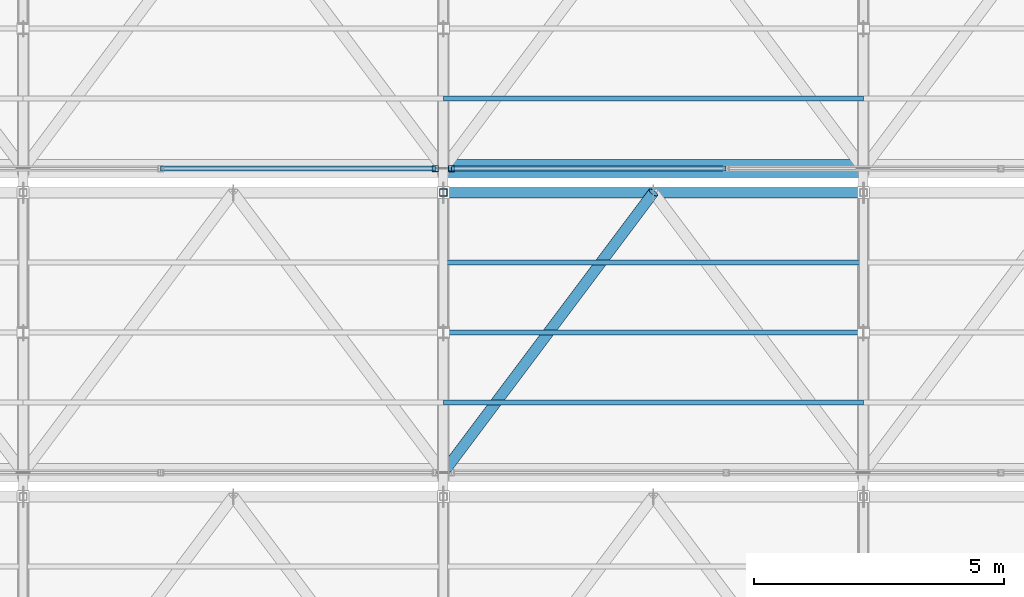
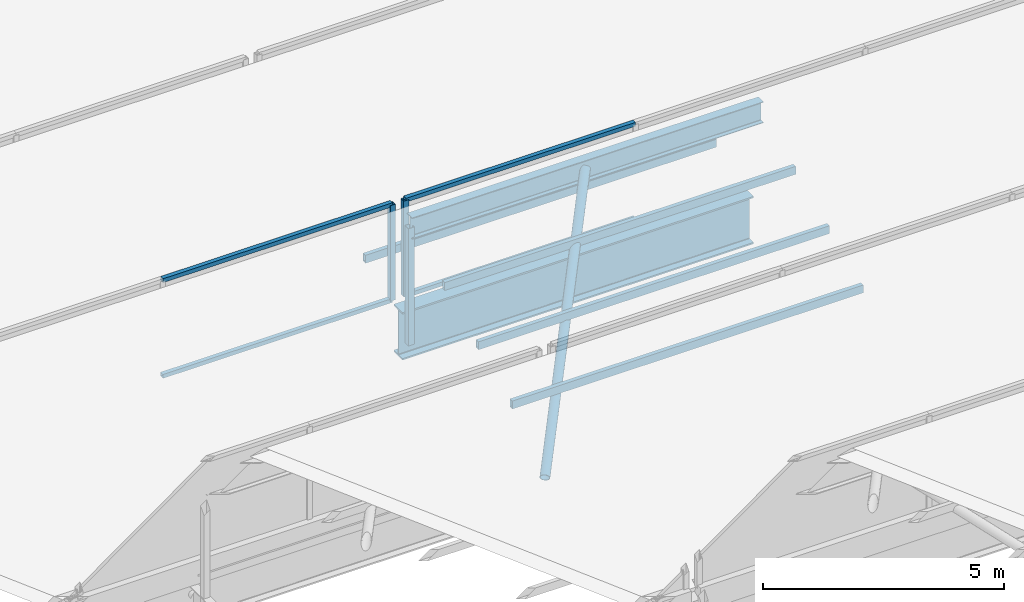
# One storey, part 109 of 217: 13 members, 1 beam, 2 elements without a shape of their own.
"""IFC4 building model written with IfcOpenShell, lengths in metres."""

from ifc_helpers import new_model, si_unit, direction, frame, origin, origin_2d, place, context, subcontext, project, spatial, hollow_rectangle, hollow_circle, i_section, extrude, material, material_profile, profile_set, type_object, element, aggregate, save


model = new_model("IFC4")

# Units and contexts
model_context = context("Model", 3, precision=1e-05, world=origin(), true_north=direction((0.0, 1.0)))
body_context = subcontext(model_context, "Body", "Model", "MODEL_VIEW")
ifc_project = project(units=[si_unit("LENGTHUNIT", "METRE"), si_unit("AREAUNIT", "SQUARE_METRE"), si_unit("VOLUMEUNIT", "CUBIC_METRE"), si_unit("PLANEANGLEUNIT", "RADIAN"), si_unit("MASSUNIT", "GRAM", prefix="KILO")], contexts=[model_context])

# Site, building, storey
site_placement = place(None, origin())
site = spatial("IfcSite", under=ifc_project, at=site_placement, CompositionType="ELEMENT")
building_placement = place(site_placement, origin())
building = spatial("IfcBuilding", under=site, at=building_placement, Name="Zuvorla Pavilion Media Centre", CompositionType="ELEMENT")
storey_placement = place(building_placement, frame((0.0, 0.0, 9.60009765625)))
storey = spatial("IfcBuildingStorey", under=building, at=storey_placement, Name="L02", CompositionType="ELEMENT", Elevation=9.60009765625)

# Beam
ifc_material_1 = material(Name="Steel S355", Category="steel")
ifc_material_profile_1 = material_profile(ifc_material_1, i_section(OverallWidth=0.360107421875, OverallDepth=1.199951171875, WebThickness=0.02001953125, FlangeThickness=0.0380859375, FilletRadius=0.02392578125, at=origin_2d()), Name="PG 1200x360x38")
ifc_profile_set_1 = profile_set([ifc_material_profile_1], Name="Steel S355")
beam_type = type_object("IfcBeamType", Name="BM-PG1200", PredefinedType="BEAM", material=ifc_profile_set_1)
beam_placement = place(storey_placement, frame((100.39990234375, 107.840087890625, -0.88818359375), z_axis=(1.0, 0.0, 0.0), x_axis=(0.0, 1.0, 0.0)))
element("IfcBeam", 1, at=beam_placement, inside=storey, type_object=beam_type, Name="L02 beam B01 1799", PredefinedType="BEAM", context=body_context, shape_type="SweptSolid", body=[
    extrude(i_section(OverallWidth=0.360107421875, OverallDepth=1.199951171875, WebThickness=0.02001953125, FlangeThickness=0.0380859375, FilletRadius=0.02392578125, at=origin_2d()), origin(), (0.0, 0.0, 1.0), 8.400146484375),
])

# Curtain wall, member
ifc_material_2 = material(Name="Unitised anodised aluminium and solar glass curtain wall", Category="aluminium")
curtain_wall_type = type_object("IfcCurtainWallType", Name="CW-SYS-88", PredefinedType="USERDEFINED", material=ifc_material_2)
curtain_wall_1_placement = place(storey_placement, origin())
curtain_wall_1 = element("IfcCurtainWall", 2, at=curtain_wall_1_placement, inside=storey, type_object=curtain_wall_type, Name="L02 curtain wall CW88 209", ObjectType="CURTAIN WALL", PredefinedType="USERDEFINED")
ifc_material_3 = material(Name="Anodised aluminium 6063-T6", Category="aluminium")
ifc_material_profile_2 = material_profile(ifc_material_3, hollow_rectangle(XDim=0.1201171875, YDim=0.1201171875, WallThickness=0.0048828125, at=origin_2d()), Name="ALU MULL 120x120")
ifc_profile_set_2 = profile_set([ifc_material_profile_2], Name="Anodised aluminium 6063-T6")
member_type_1 = type_object("IfcMemberType", Name="CW-MULL-120", PredefinedType="MULLION", material=ifc_profile_set_2)
member_1_placement = place(storey_placement, frame((100.239990234375, 107.840087890625, 0.0), z_axis=(0.0, 0.0, 1.0), x_axis=(1.0, 0.0, 0.0)))
member_1 = element("IfcMember", 3, at=member_1_placement, type_object=member_type_1, Name="CW88 mullion 4", PredefinedType="MULLION", context=body_context, shape_type="SweptSolid", body=[
    extrude(hollow_rectangle(XDim=0.1201171875, YDim=0.1201171875, WallThickness=0.0048828125, at=origin_2d()), origin(), (0.0, 0.0, 1.0), 2.419921875),
])

curtain_wall_2_placement = place(storey_placement, origin())
curtain_wall_2 = element("IfcCurtainWall", 4, at=curtain_wall_2_placement, inside=storey, type_object=curtain_wall_type, Name="L02 curtain wall CW88 210", ObjectType="CURTAIN WALL", PredefinedType="USERDEFINED")
member_2_placement = place(storey_placement, frame((100.56005859375, 107.840087890625, 0.0), z_axis=(0.0, 0.0, 1.0), x_axis=(1.0, 0.0, 0.0)))
member_2 = element("IfcMember", 5, at=member_2_placement, type_object=member_type_1, Name="CW88 mullion 1", PredefinedType="MULLION", context=body_context, shape_type="SweptSolid", body=[
    extrude(hollow_rectangle(XDim=0.1201171875, YDim=0.1201171875, WallThickness=0.0048828125, at=origin_2d()), origin(), (0.0, 0.0, 1.0), 2.419921875),
])

# Member
ifc_material_profile_3 = material_profile(ifc_material_3, hollow_rectangle(XDim=0.10009765625, YDim=0.10009765625, WallThickness=0.00439453125, at=origin_2d()), Name="ALU TRAN 100x100")
ifc_profile_set_3 = profile_set([ifc_material_profile_3], Name="Anodised aluminium 6063-T6")
member_type_2 = type_object("IfcMemberType", Name="CW-TRAN-100", PredefinedType="USERDEFINED", material=ifc_profile_set_3)
member_3_placement = place(storey_placement, frame((94.74658203125, 107.840087890625, 0.0), z_axis=(1.0, 0.0, 0.0), x_axis=(0.0, 1.0, 0.0)))
member_3 = element("IfcMember", 6, at=member_3_placement, type_object=member_type_2, Name="CW88 transom 3.1", ObjectType="TRANSOM", PredefinedType="USERDEFINED", context=body_context, shape_type="SweptSolid", body=[
    extrude(hollow_rectangle(XDim=0.10009765625, YDim=0.10009765625, WallThickness=0.00439453125, at=origin_2d()), origin(), (0.0, 0.0, 1.0), 5.493408203125),
])

member_4_placement = place(storey_placement, frame((94.74658203125, 107.840087890625, 2.419921875), z_axis=(1.0, 0.0, 0.0), x_axis=(0.0, 1.0, 0.0)))
member_4 = element("IfcMember", 7, at=member_4_placement, type_object=member_type_2, Name="CW88 transom 3.2", ObjectType="TRANSOM", PredefinedType="USERDEFINED", context=body_context, shape_type="SweptSolid", body=[
    extrude(hollow_rectangle(XDim=0.10009765625, YDim=0.10009765625, WallThickness=0.00439453125, at=origin_2d()), origin(), (0.0, 0.0, 1.0), 5.493408203125),
])

aggregate(curtain_wall_1, [member_1, member_3, member_4])

member_5_placement = place(storey_placement, frame((100.56005859375, 107.840087890625, 0.0), z_axis=(1.0, 0.0, 0.0), x_axis=(0.0, 1.0, 0.0)))
member_5 = element("IfcMember", 8, at=member_5_placement, type_object=member_type_2, Name="CW88 transom 1.1", ObjectType="TRANSOM", PredefinedType="USERDEFINED", context=body_context, shape_type="SweptSolid", body=[
    extrude(hollow_rectangle(XDim=0.10009765625, YDim=0.10009765625, WallThickness=0.00439453125, at=origin_2d()), origin(), (0.0, 0.0, 1.0), 5.4931640625),
])

member_6_placement = place(storey_placement, frame((100.56005859375, 107.840087890625, 2.419921875), z_axis=(1.0, 0.0, 0.0), x_axis=(0.0, 1.0, 0.0)))
member_6 = element("IfcMember", 9, at=member_6_placement, type_object=member_type_2, Name="CW88 transom 1.2", ObjectType="TRANSOM", PredefinedType="USERDEFINED", context=body_context, shape_type="SweptSolid", body=[
    extrude(hollow_rectangle(XDim=0.10009765625, YDim=0.10009765625, WallThickness=0.00439453125, at=origin_2d()), origin(), (0.0, 0.0, 1.0), 5.4931640625),
])

aggregate(curtain_wall_2, [member_2, member_5, member_6])

# Members
ifc_material_profile_4 = material_profile(ifc_material_1, hollow_circle(Radius=0.109619140625, WallThickness=0.010009765625, at=origin_2d()), Name="CHS 219.1x10")
ifc_profile_set_4 = profile_set([ifc_material_profile_4], Name="Steel S355")
member_type_3 = type_object("IfcMemberType", Name="MEM-BRC-CHS219", PredefinedType="BRACE", material=ifc_profile_set_4)
member_7_placement = place(storey_placement, frame((100.39990234375, 101.760009765625, -0.880126953125), z_axis=(0.552533909139, 0.736690467788, 0.389863352885), x_axis=(-0.79999162962, 0.600011160345, 0.0)))
element("IfcMember", 10, at=member_7_placement, inside=storey, type_object=member_type_3, Name="L02 diagonal brace TB02 289", PredefinedType="BRACE", context=body_context, shape_type="SweptSolid", body=[
    extrude(hollow_circle(Radius=0.109619140625, WallThickness=0.010009765625, at=origin_2d()), origin(), (0.0, 0.0, 1.0), 7.601806640625),
])
ifc_material_profile_5 = material_profile(ifc_material_1, i_section(OverallWidth=0.2099609375, OverallDepth=0.53662109375, WebThickness=0.0107421875, FlangeThickness=0.017333984375, FilletRadius=0.0126953125, at=origin_2d()), Name="UB 533x210x101")
ifc_profile_set_5 = profile_set([ifc_material_profile_5], Name="Steel S355")
member_type_4 = type_object("IfcMemberType", Name="MEM-CHD-UB533", PredefinedType="CHORD", material=ifc_profile_set_5)
member_8_placement = place(storey_placement, frame((100.39990234375, 107.360107421875, 2.08349609375), z_axis=(1.0, 0.0, 0.0), x_axis=(0.0, 1.0, 0.0)))
element("IfcMember", 11, at=member_8_placement, inside=storey, type_object=member_type_4, Name="L02 chord TC02 288", PredefinedType="CHORD", context=body_context, shape_type="SweptSolid", body=[
    extrude(i_section(OverallWidth=0.2099609375, OverallDepth=0.53662109375, WebThickness=0.0107421875, FlangeThickness=0.017333984375, FilletRadius=0.0126953125, at=origin_2d()), origin(), (0.0, 0.0, 1.0), 8.400146484375),
])
ifc_material_profile_6 = material_profile(ifc_material_1, hollow_rectangle(XDim=0.10009765625, YDim=0.199951171875, WallThickness=0.008056640625, at=origin_2d()), Name="RHS 200x100x8")
ifc_profile_set_6 = profile_set([ifc_material_profile_6], Name="Steel S355")
member_type_5 = type_object("IfcMemberType", Name="MEM-PUR-RHS200", PredefinedType="PURLIN", material=ifc_profile_set_6)
for number, where, z_axis, x_axis, name in (
    (12, (100.39990234375, 103.159912109375, 0.133544921875), (1.0, 0.0, 0.0), (0.0, 1.0, 0.0), "L02 purlin PR01 291"),
    (13, (100.39990234375, 104.56005859375, 0.783447265625), (1.0, 0.0, 0.0), (0.0, 1.0, 0.0), "L02 purlin PR01 292"),
    (14, (100.39990234375, 105.9599609375, 1.43359375), (1.0, 0.0, 0.0), (0.0, 1.0, 0.0), "L02 purlin PR01 293"),
    (15, (100.39990234375, 109.239990234375, 0.133544921875), (1.0, 0.0, 0.0), (0.0, 1.0, 0.0), "L02 purlin PR01 384"),
):
    element("IfcMember", number, at=place(storey_placement, frame(where, z_axis=z_axis, x_axis=x_axis)), inside=storey, type_object=member_type_5, Name=name, PredefinedType="PURLIN", context=body_context, shape_type="SweptSolid", body=[
        extrude(hollow_rectangle(XDim=0.10009765625, YDim=0.199951171875, WallThickness=0.008056640625, at=origin_2d()), origin(), (0.0, 0.0, 1.0), 8.400146484375),
    ])
ifc_material_profile_7 = material_profile(ifc_material_1, hollow_rectangle(XDim=0.14990234375, YDim=0.14990234375, WallThickness=0.008056640625, at=origin_2d()), Name="SHS 150x150x8")
ifc_profile_set_7 = profile_set([ifc_material_profile_7], Name="Steel S355")
member_type_6 = type_object("IfcMemberType", Name="MEM-STR-SHS150", PredefinedType="STRUT", material=ifc_profile_set_7)
member_9_placement = place(storey_placement, frame((100.39990234375, 107.360107421875, -0.880126953125), z_axis=(0.0, 0.0, 1.0), x_axis=(1.0, 0.0, 0.0)))
element("IfcMember", 16, at=member_9_placement, inside=storey, type_object=member_type_6, Name="L02 vertical strut TS01 241", PredefinedType="STRUT", context=body_context, shape_type="SweptSolid", body=[
    extrude(hollow_rectangle(XDim=0.14990234375, YDim=0.14990234375, WallThickness=0.008056640625, at=origin_2d()), origin(), (0.0, 0.0, 1.0), 2.963623046875),
])

save(model, "model.ifc")
